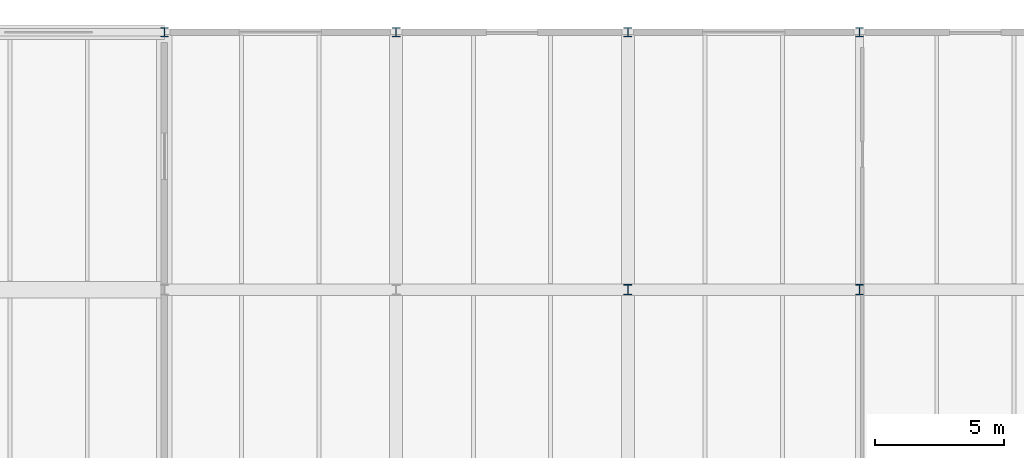
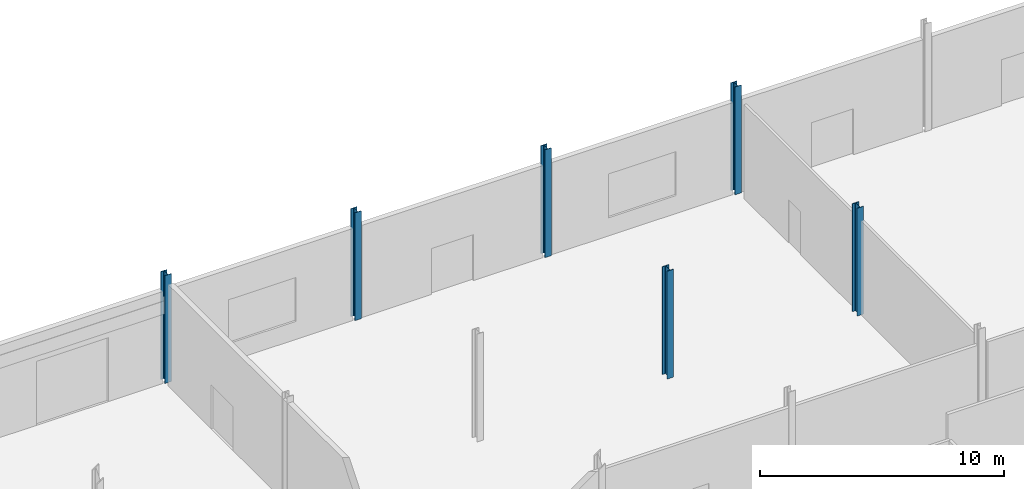
# One storey, part 13 of 158: 6 columns.
"""IFC4 building model written with IfcOpenShell, lengths in metres."""

import ifcopenshell
import ifcopenshell.guid

model = None  # the IFC model being written
_history = None  # IfcOwnerHistory: only IFC2X3 demands one
_inside = {}  # id of a spatial element -> (the spatial element, [elements in it])
_under = {}  # id of a project, library or spatial element -> (it, [spatial elements below it])
_declared = {}  # id of a project -> (the project, [libraries it declares])
_typed = {}  # id of a type object -> (the type object, [elements of that type])
_made_of = {}  # id of a material, layer set ... -> (it, [elements and type objects made of it])


def new_model(schema):
    """Start an empty IFC model of exactly this schema.

    Asked for "IFC4X3", IfcOpenShell would pick the latest addendum, in which some entities
    have other attributes; the version numbers below select the first issue.
    IFC2X3 requires an IfcOwnerHistory on every rooted entity: one is made here for all.
    """
    global model, _history
    if schema == "IFC4X3":
        model = ifcopenshell.file(schema_version=(4, 3, 0, 0))
    else:
        model = ifcopenshell.file(schema=schema)
    _inside.clear()
    _under.clear()
    _declared.clear()
    _typed.clear()
    _made_of.clear()
    _history = None
    if model.schema == "IFC2X3":
        org = make("IfcOrganization", Name="unknown")
        user = make(
            "IfcPersonAndOrganization",
            ThePerson=make("IfcPerson", FamilyName="unknown"),
            TheOrganization=org,
        )
        app = make(
            "IfcApplication",
            ApplicationDeveloper=org,
            Version="unknown",
            ApplicationFullName="unknown",
            ApplicationIdentifier="unknown",
        )
        _history = make(
            "IfcOwnerHistory",
            OwningUser=user,
            OwningApplication=app,
            ChangeAction="ADDED",
            CreationDate=0,
        )
    return model


def make(cls, **values):
    """One entity of the class cls with the attributes given. An attribute that is None is left unset."""
    return model.create_entity(
        cls, **{name: value for name, value in values.items() if value is not None}
    )


def rooted(cls, **values):
    """An entity with a GlobalId (a new one), such as an element, a storey or a relation."""
    return make(cls, GlobalId=ifcopenshell.guid.new(), OwnerHistory=_history, **values)


def si_unit(unit_type, name, prefix=None):
    """IfcSIUnit, for example si_unit("LENGTHUNIT", "METRE", prefix="MILLI")."""
    return make("IfcSIUnit", UnitType=unit_type, Prefix=prefix, Name=name)


def derived_unit(unit_type, elements):
    """IfcDerivedUnit: a product of units, each with its exponent."""
    return make(
        "IfcDerivedUnit",
        Elements=[
            make("IfcDerivedUnitElement", Unit=unit, Exponent=power)
            for unit, power in elements
        ],
        UnitType=unit_type,
    )


def assignment(units):
    """IfcUnitAssignment: the units of a project."""
    return None if units is None else make("IfcUnitAssignment", Units=units)


def point(xyz):
    """IfcCartesianPoint."""
    return None if xyz is None else make("IfcCartesianPoint", Coordinates=xyz)


def direction(xyz):
    """IfcDirection."""
    return None if xyz is None else make("IfcDirection", DirectionRatios=xyz)


def frame(location, z_axis=None, x_axis=None):
    """IfcAxis2Placement3D, a coordinate frame: its origin and axes. An axis left out is left unset."""
    return make(
        "IfcAxis2Placement3D",
        Location=point(location),
        Axis=direction(z_axis),
        RefDirection=direction(x_axis),
    )


def frame_2d(location, x_axis=None):
    """IfcAxis2Placement2D, a coordinate frame in the plane: its origin and x axis."""
    return make(
        "IfcAxis2Placement2D", Location=point(location), RefDirection=direction(x_axis)
    )


def origin():
    """The frame at (0, 0, 0) with its axes left unset."""
    return frame((0.0, 0.0, 0.0))


def origin_2d():
    """The frame at (0, 0) in the plane with its x axis left unset."""
    return frame_2d((0.0, 0.0))


def place(relative_to, where):
    """IfcLocalPlacement: puts the frame where relative to a parent placement (None: the world)."""
    return make(
        "IfcLocalPlacement", PlacementRelTo=relative_to, RelativePlacement=where
    )


def context(
    kind, dimensions, precision=None, world=None, true_north=None, identifier=None
):
    """IfcGeometricRepresentationContext, for example the 3D "Model" context."""
    return make(
        "IfcGeometricRepresentationContext",
        ContextIdentifier=identifier,
        ContextType=kind,
        CoordinateSpaceDimension=dimensions,
        Precision=precision,
        WorldCoordinateSystem=world,
        TrueNorth=true_north,
    )


def subcontext(parent, identifier, kind, view, scale=None):
    """IfcGeometricRepresentationSubContext, for example "Body" below "Model"."""
    return make(
        "IfcGeometricRepresentationSubContext",
        ContextIdentifier=identifier,
        ContextType=kind,
        ParentContext=parent,
        TargetScale=scale,
        TargetView=view,
    )


def project(units=None, contexts=None):
    """IfcProject with its units and contexts."""
    return rooted(
        "IfcProject",
        Name="project",
        RepresentationContexts=contexts,
        UnitsInContext=assignment(units),
    )


def spatial(cls, under=None, at=None, **own):
    """A site, building, storey or space (cls), placed at a placement, below another one or the project."""
    s = rooted(cls, ObjectPlacement=at, **own)
    if under is not None:
        _under.setdefault(under.id(), (under, []))[1].append(s)
    return s


def profile(cls, at=None, kind="AREA", **sizes):
    """A parametric profile (cls). Its sizes go by their IFC names, for example OverallWidth=200.0."""
    return make(cls, ProfileType=kind, Position=at, **sizes)


def i_section(**sizes):
    """IfcIShapeProfileDef."""
    return profile("IfcIShapeProfileDef", **sizes)


def extrude(swept, where, along, depth):
    """IfcExtrudedAreaSolid: the profile swept, set in the frame where, extruded along a direction by depth."""
    return make(
        "IfcExtrudedAreaSolid",
        SweptArea=swept,
        Position=where,
        ExtrudedDirection=direction(along),
        Depth=depth,
    )


def shape(context_of_items, identifier, shape_type, items):
    """IfcShapeRepresentation: the items that make up one representation, for example the "Body"."""
    return make(
        "IfcShapeRepresentation",
        ContextOfItems=context_of_items,
        RepresentationIdentifier=identifier,
        RepresentationType=shape_type,
        Items=items,
    )


def material(Name=None, Category=None):
    """IfcMaterial."""
    return make("IfcMaterial", Name=Name, Category=Category)


def material_profile(
    of_material, cross_section, Name=None, Category=None, Priority=None
):
    """IfcMaterialProfile: a cross section and its material."""
    return make(
        "IfcMaterialProfile",
        Name=Name,
        Material=of_material,
        Profile=cross_section,
        Priority=Priority,
        Category=Category,
    )


def profile_set(profiles, Name=None, composite=None):
    """IfcMaterialProfileSet."""
    return make(
        "IfcMaterialProfileSet",
        Name=Name,
        MaterialProfiles=profiles,
        CompositeProfile=composite,
    )


def made_of(thing, what):
    """Note that an element or type object is made of a material, layer set ...; save() writes the relation."""
    if what is not None:
        _made_of.setdefault(what.id(), (what, []))[1].append(thing)
    return thing


def type_object(cls, material=None, **own):
    """A type object (cls), such as IfcWallType, which elements share."""
    return made_of(rooted(cls, **own), material)


def element(
    cls,
    number,
    at=None,
    inside=None,
    cuts=None,
    type_object=None,
    material=None,
    context=None,
    identifier="Body",
    shape_type=None,
    held_by="IfcProductDefinitionShape",
    body=None,
    shapes=None,
    **own,
):
    """One element of the class cls, such as IfcWall. Its Tag is "e" and its number.

    at: its placement. inside: the storey or other place that contains it. cuts: it is an
    opening in that element (IfcRelVoidsElement). A single representation is given by context,
    identifier, shape_type and body (its items); several are given by shapes. held_by: the class
    of the entity that holds the representations. save() writes the other relations.
    """
    e = rooted(cls, Tag="e%d" % number, ObjectPlacement=at, **own)
    if body is not None:
        shapes = [shape(context, identifier, shape_type, body)]
    if shapes is not None:
        e.Representation = make(held_by, Representations=shapes)
    if inside is not None:
        _inside.setdefault(inside.id(), (inside, []))[1].append(e)
    if cuts is not None:
        rooted(
            "IfcRelVoidsElement", RelatingBuildingElement=cuts, RelatedOpeningElement=e
        )
    if type_object is not None:
        _typed.setdefault(type_object.id(), (type_object, []))[1].append(e)
    return made_of(e, material)


def aggregate(whole, parts):
    """IfcRelAggregates: a whole, such as a stair, and the parts it consists of."""
    return rooted("IfcRelAggregates", RelatingObject=whole, RelatedObjects=parts)


def save(model, path):
    """Write the relations noted so far, then the file.

    IfcRelAggregates (storeys below a building ...), IfcRelContainedInSpatialStructure (elements
    in a storey), IfcRelDefinesByType, IfcRelAssociatesMaterial and IfcRelDeclares: one each for
    every whole, place, type object, material and project.
    """
    for whole, parts in _under.values():
        aggregate(whole, parts)
    for where, things in _inside.values():
        rooted(
            "IfcRelContainedInSpatialStructure",
            RelatedElements=things,
            RelatingStructure=where,
        )
    for kind, things in _typed.values():
        rooted("IfcRelDefinesByType", RelatedObjects=things, RelatingType=kind)
    for what, things in _made_of.values():
        rooted("IfcRelAssociatesMaterial", RelatedObjects=things, RelatingMaterial=what)
    for by, libraries in _declared.values():
        rooted("IfcRelDeclares", RelatingContext=by, RelatedDefinitions=libraries)
    model.write(path)


model = new_model("IFC4")

# Units and contexts
model_context = context("Model", 3, precision=1e-05, world=origin(), true_north=direction((0.0, 1.0)))
body_context = subcontext(model_context, "Body", "Model", "MODEL_VIEW")
ifc_project = project(units=[si_unit("LENGTHUNIT", "METRE"), si_unit("AREAUNIT", "SQUARE_METRE"), si_unit("VOLUMEUNIT", "CUBIC_METRE"), si_unit("PLANEANGLEUNIT", "RADIAN"), si_unit("MASSUNIT", "GRAM", prefix="KILO"), si_unit("THERMODYNAMICTEMPERATUREUNIT", "KELVIN"), si_unit("TIMEUNIT", "SECOND"), derived_unit("THERMALTRANSMITTANCEUNIT", [(si_unit("MASSUNIT", "GRAM", prefix="KILO"), 1), (si_unit("THERMODYNAMICTEMPERATUREUNIT", "KELVIN"), -1), (si_unit("TIMEUNIT", "SECOND"), -3)])], contexts=[model_context])

# Site, building, storey
site_placement = place(None, origin())
site = spatial("IfcSite", under=ifc_project, at=site_placement, CompositionType="ELEMENT")
building_placement = place(site_placement, origin())
building = spatial("IfcBuilding", under=site, at=building_placement, Name="Cambertide Market Hall", CompositionType="ELEMENT")
storey_placement = place(building_placement, origin())
storey = spatial("IfcBuildingStorey", under=building, at=storey_placement, Name="L01", CompositionType="ELEMENT", Elevation=0.0)

# Columns
ifc_material_1 = material(Name="Steel S355", Category="steel")
ifc_material_profile_1 = material_profile(ifc_material_1, i_section(OverallWidth=0.300048828125, OverallDepth=0.360107421875, WebThickness=0.012451171875, FlangeThickness=0.0224609375, FilletRadius=0.027099609375, at=origin_2d()), Name="HEB 360")
ifc_profile_set_1 = profile_set([ifc_material_profile_1], Name="Steel S355")
column_type_1 = type_object("IfcColumnType", Name="Exterior Steel Column HEB 360", PredefinedType="COLUMN", material=ifc_profile_set_1)
for number, where, z_axis, x_axis, name in (
    (1, (48.0, 126.0, 0.0), (0.0, 0.0, 1.0), (1.0, 0.0, 0.0), "Level 1 Column COL-V2-5-4-L01"),
    (2, (57.0, 126.0, 0.0), (0.0, 0.0, 1.0), (1.0, 0.0, 0.0), "Level 1 Column COL-V2-6-4-L01"),
    (3, (66.0, 126.0, 0.0), (0.0, 0.0, 1.0), (1.0, 0.0, 0.0), "Level 1 Column COL-V2-7-4-L01"),
    (4, (75.0, 126.0, 0.0), (0.0, 0.0, 1.0), (1.0, 0.0, 0.0), "Level 1 Column COL-V2-8-4-L01"),
):
    element("IfcColumn", number, at=place(storey_placement, frame(where, z_axis=z_axis, x_axis=x_axis)), inside=storey, type_object=column_type_1, Name=name, PredefinedType="COLUMN", context=body_context, shape_type="SweptSolid", body=[
        extrude(i_section(OverallWidth=0.300048828125, OverallDepth=0.360107421875, WebThickness=0.012451171875, FlangeThickness=0.0224609375, FilletRadius=0.027099609375, at=origin_2d()), origin(), (0.0, 0.0, 1.0), 5.39990234375),
    ])
ifc_material_2 = material(Name="Steel S355", Category="steel")
ifc_material_profile_2 = material_profile(ifc_material_2, i_section(OverallWidth=0.300048828125, OverallDepth=0.39990234375, WebThickness=0.013427734375, FlangeThickness=0.02392578125, FilletRadius=0.027099609375, at=origin_2d()), Name="HEB 400")
ifc_profile_set_2 = profile_set([ifc_material_profile_2], Name="Steel S355")
column_type_2 = type_object("IfcColumnType", Name="Steel Column HEB 400", PredefinedType="COLUMN", material=ifc_profile_set_2)
for number, where, z_axis, x_axis, name in (
    (5, (66.0, 116.0, 0.0), (0.0, 0.0, 1.0), (1.0, 0.0, 0.0), "Level 1 Column COL-V2-7-3-L01"),
    (6, (75.0, 116.0, 0.0), (0.0, 0.0, 1.0), (1.0, 0.0, 0.0), "Level 1 Column COL-V2-8-3-L01"),
):
    element("IfcColumn", number, at=place(storey_placement, frame(where, z_axis=z_axis, x_axis=x_axis)), inside=storey, type_object=column_type_2, Name=name, PredefinedType="COLUMN", context=body_context, shape_type="SweptSolid", body=[
        extrude(i_section(OverallWidth=0.300048828125, OverallDepth=0.39990234375, WebThickness=0.013427734375, FlangeThickness=0.02392578125, FilletRadius=0.027099609375, at=origin_2d()), origin(), (0.0, 0.0, 1.0), 5.39990234375),
    ])

save(model, "model.ifc")
